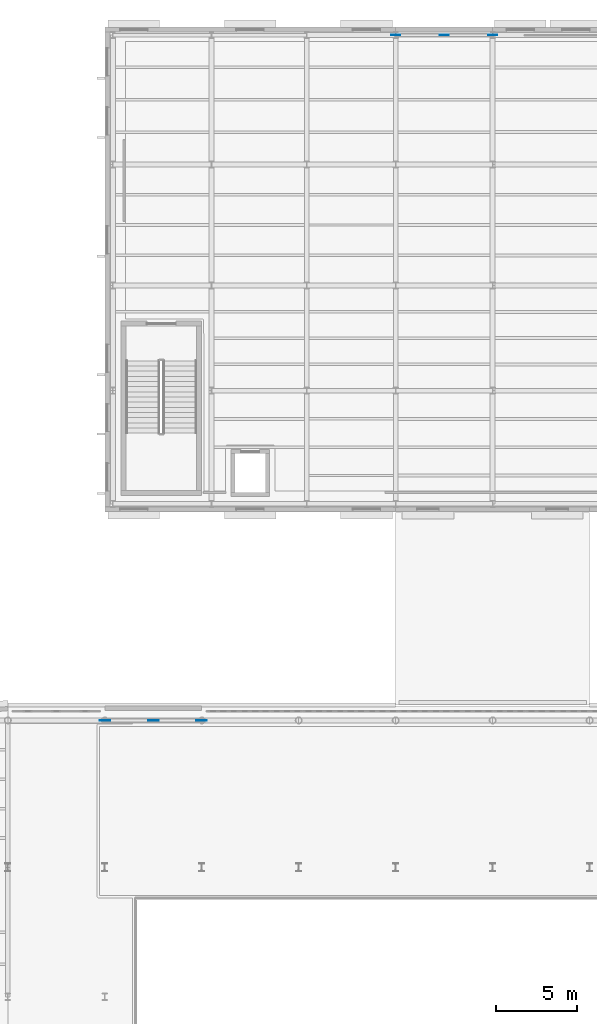
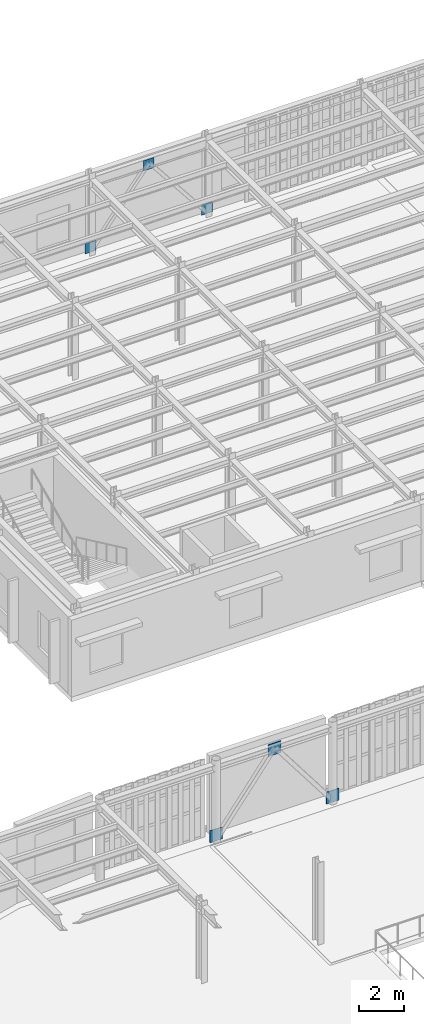
# One storey, part 62 of 91: 6 plates.
"""IFC4 building model written with IfcOpenShell, lengths in metres."""

from ifc_helpers import new_model, si_unit, direction, frame, origin, origin_2d, place, context, subcontext, project, spatial, rectangle, extrude, material, layer, layer_set, type_object, element, save


model = new_model("IFC4")

# Units and contexts
model_context = context("Model", 3, precision=1e-05, world=origin(), true_north=direction((0.0, 1.0)))
body_context = subcontext(model_context, "Body", "Model", "MODEL_VIEW")
ifc_project = project(units=[si_unit("LENGTHUNIT", "METRE"), si_unit("AREAUNIT", "SQUARE_METRE"), si_unit("VOLUMEUNIT", "CUBIC_METRE"), si_unit("PLANEANGLEUNIT", "RADIAN"), si_unit("MASSUNIT", "GRAM", prefix="KILO")], contexts=[model_context])

# Site, building, storey
site_placement = place(None, origin())
site = spatial("IfcSite", under=ifc_project, at=site_placement, CompositionType="ELEMENT")
building_placement = place(site_placement, origin())
building = spatial("IfcBuilding", under=site, at=building_placement, Name="Kolvaren Corner Interchange", CompositionType="ELEMENT")
storey_placement = place(building_placement, frame((0.0, 0.0, 6.0)))
storey = spatial("IfcBuildingStorey", under=building, at=storey_placement, Name="L02", CompositionType="ELEMENT", Elevation=6.0)

# Plates
ifc_material_1 = material(Name="Steel S355", Category="steel")
ifc_layer_1 = layer(ifc_material_1, 0.02490234375)
ifc_layer_set_1 = layer_set([ifc_layer_1], Name="Steel S355")
plate_type_1 = type_object("IfcPlateType", Name="PL-GUSSET-25", PredefinedType="USERDEFINED", material=ifc_layer_set_1)
for number, where, z_axis, x_axis, name in (
    (1, (84.0, 113.5, 0.06494140625), (0.0, 0.0, 1.0), (1.0, 0.0, 0.0), "Storey L02 Bolted Steel Gusset Plate 11 Base Left"),
    (2, (90.0, 113.5, 0.06494140625), (0.0, 0.0, 1.0), (1.0, 0.0, 0.0), "Storey L02 Bolted Steel Gusset Plate 11 Base Right"),
    (3, (87.0, 113.5, 3.52978515625), (0.0, 0.0, 1.0), (1.0, 0.0, 0.0), "Storey L02 Bolted Steel Gusset Plate 11 Apex"),
):
    element("IfcPlate", number, at=place(storey_placement, frame(where, z_axis=z_axis, x_axis=x_axis)), inside=storey, type_object=plate_type_1, Name=name, ObjectType="GUSSET PLATE", PredefinedType="USERDEFINED", context=body_context, shape_type="SweptSolid", body=[
        extrude(rectangle(XDim=0.550048828125, YDim=0.02490234375, at=origin_2d()), origin(), (0.0, 0.0, 1.0), 0.550048828125),
    ])
ifc_material_2 = material(Name="Steel S355", Category="steel")
ifc_layer_2 = layer(ifc_material_2, 0.030029296875)
ifc_layer_set_2 = layer_set([ifc_layer_2], Name="Steel S355")
plate_type_2 = type_object("IfcPlateType", Name="PL-GUSSET-30", PredefinedType="USERDEFINED", material=ifc_layer_set_2)
for number, where, z_axis, x_axis, name in (
    (4, (66.0, 71.10009765625, 0.01513671875), (0.0, 0.0, 1.0), (1.0, 0.0, 0.0), "Storey L02 Bolted Steel Gusset Plate 13 Base Left"),
    (5, (72.0, 71.10009765625, 0.01513671875), (0.0, 0.0, 1.0), (1.0, 0.0, 0.0), "Storey L02 Bolted Steel Gusset Plate 13 Base Right"),
    (6, (69.0, 71.10009765625, 3.650146484375), (0.0, 0.0, 1.0), (1.0, 0.0, 0.0), "Storey L02 Bolted Steel Gusset Plate 13 Apex"),
):
    element("IfcPlate", number, at=place(storey_placement, frame(where, z_axis=z_axis, x_axis=x_axis)), inside=storey, type_object=plate_type_2, Name=name, ObjectType="GUSSET PLATE", PredefinedType="USERDEFINED", context=body_context, shape_type="SweptSolid", body=[
        extrude(rectangle(XDim=0.64990234375, YDim=0.030029296875, at=origin_2d()), origin(), (0.0, 0.0, 1.0), 0.64990234375),
    ])

save(model, "model.ifc")
